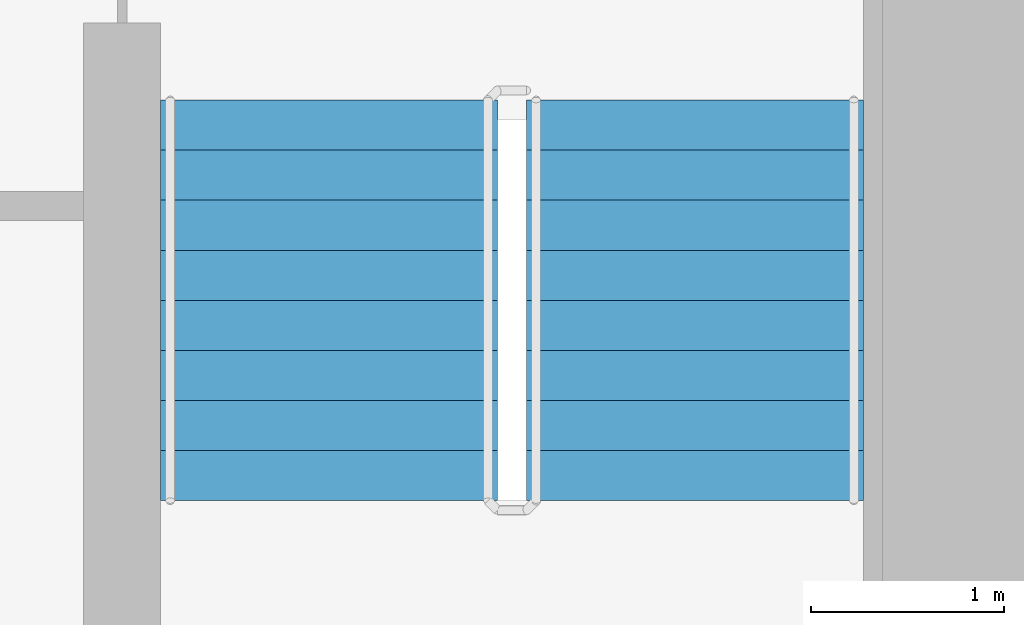
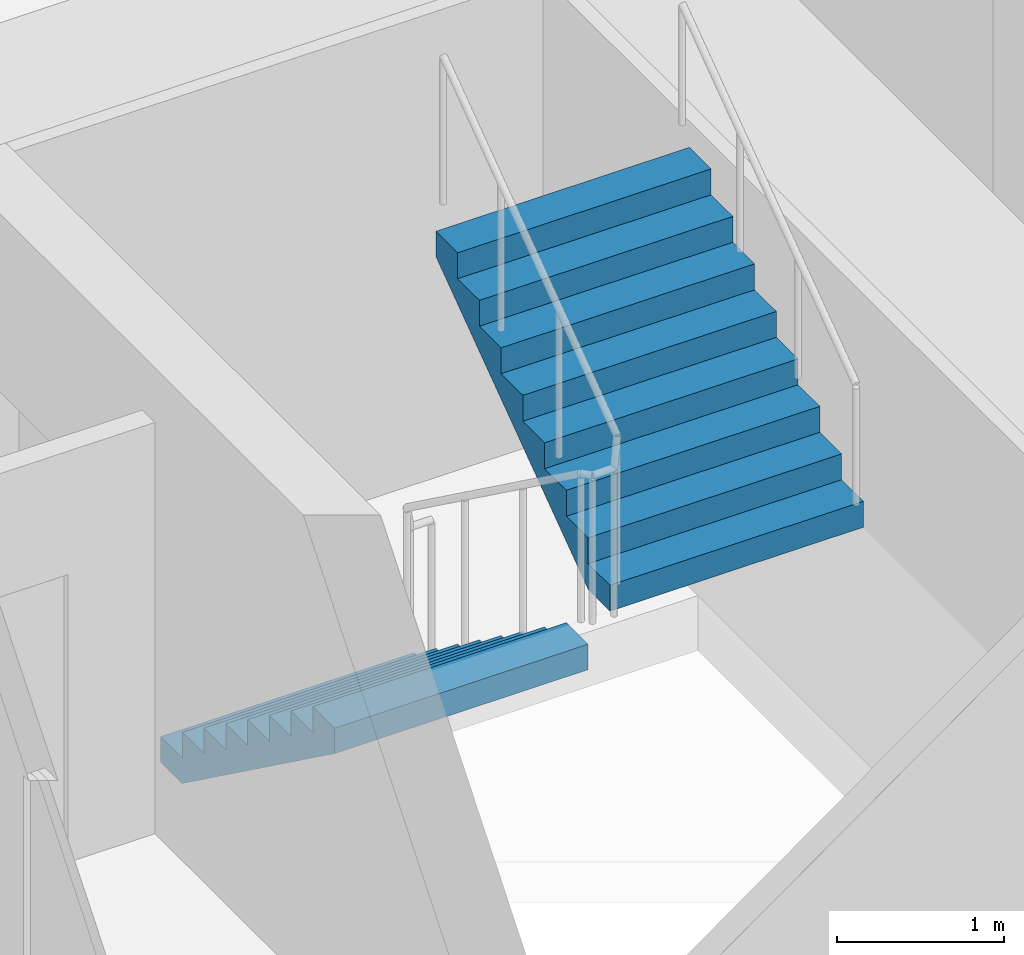
# One storey, part 20 of 24: 2 stair flights, 1 element without a shape of its own.
"""IFC4 building model written with IfcOpenShell, lengths in metres."""

from ifc_helpers import new_model, si_unit, direction, frame, origin, place, context, subcontext, project, spatial, faceted_brep, material, type_object, element, aggregate, save


model = new_model("IFC4")

# Units and contexts
model_context = context("Model", 3, precision=1e-05, world=origin(), true_north=direction((0.0, 1.0)))
body_context = subcontext(model_context, "Body", "Model", "MODEL_VIEW")
ifc_project = project(units=[si_unit("LENGTHUNIT", "METRE"), si_unit("AREAUNIT", "SQUARE_METRE"), si_unit("VOLUMEUNIT", "CUBIC_METRE"), si_unit("PLANEANGLEUNIT", "RADIAN"), si_unit("MASSUNIT", "GRAM", prefix="KILO")], contexts=[model_context])

# Site, building, storey
site_placement = place(None, origin())
site = spatial("IfcSite", under=ifc_project, at=site_placement, CompositionType="ELEMENT")
building_placement = place(site_placement, origin())
building = spatial("IfcBuilding", under=site, at=building_placement, Name="Ipe Terrace Towers", CompositionType="ELEMENT")
storey_placement = place(building_placement, frame((0.0, 0.0, 38.10009765625)))
storey = spatial("IfcBuildingStorey", under=building, at=storey_placement, Name="L09", CompositionType="ELEMENT", Elevation=38.10009765625)

# Stair, stair flights
ifc_material_1 = material(Name="Concrete C30/37", Category="concrete")
stair_type = type_object("IfcStairType", Name="Protected exit stair", PredefinedType="HALF_TURN_STAIR", material=ifc_material_1)
stair_placement = place(storey_placement, origin())
stair = element("IfcStair", 1, at=stair_placement, inside=storey, type_object=stair_type, Name="L09 Exit stair T2-C2", PredefinedType="HALF_TURN_STAIR")
ifc_material_2 = material(Name="Concrete C30/37", Category="concrete")
stair_flight_type = type_object("IfcStairFlightType", Name="Exit stair flight 1750", PredefinedType="STRAIGHT", material=ifc_material_2)
stair_flight_1_placement = place(storey_placement, frame((38.77490234375, -9.699951171875, 0.0), z_axis=(0.0, 0.0, 1.0), x_axis=(0.0, -1.0, 0.0)))
stair_flight_1 = element("IfcStairFlight", 2, at=stair_flight_1_placement, type_object=stair_flight_type, Name="T2-ST2 flight 1", NumberOfRisers=9, NumberOfTreads=8, PredefinedType="STRAIGHT", RiserHeight=0.188888889, TreadLength=0.26, context=body_context, shape_type="Brep", body=[
    faceted_brep([(0.255126953125, -0.875, 0.0), (2.080078125, -0.875, 1.325927734375), (2.080078125, -0.875, 1.51123046875), (1.820068359375, -0.875, 1.51123046875), (1.820068359375, -0.875, 1.322265625), (1.56005859375, -0.875, 1.322265625), (1.56005859375, -0.875, 1.13330078125), (1.300048828125, -0.875, 1.13330078125), (1.300048828125, -0.875, 0.9443359375), (1.0400390625, -0.875, 0.9443359375), (1.0400390625, -0.875, 0.755615234375), (0.780029296875, -0.875, 0.755615234375), (0.780029296875, -0.875, 0.566650390625), (0.52001953125, -0.875, 0.566650390625), (0.52001953125, -0.875, 0.377685546875), (0.260009765625, -0.875, 0.377685546875), (0.260009765625, -0.875, 0.18896484375), (0.0, -0.875, 0.18896484375), (0.0, -0.875, 0.0), (0.0, 0.875, 0.0), (0.0, 0.875, 0.18896484375), (0.260009765625, 0.875, 0.18896484375), (0.260009765625, 0.875, 0.377685546875), (0.52001953125, 0.875, 0.377685546875), (0.52001953125, 0.875, 0.566650390625), (0.780029296875, 0.875, 0.566650390625), (0.780029296875, 0.875, 0.755615234375), (1.0400390625, 0.875, 0.755615234375), (1.0400390625, 0.875, 0.9443359375), (1.300048828125, 0.875, 0.9443359375), (1.300048828125, 0.875, 1.13330078125), (1.56005859375, 0.875, 1.13330078125), (1.56005859375, 0.875, 1.322265625), (1.820068359375, 0.875, 1.322265625), (1.820068359375, 0.875, 1.51123046875), (2.080078125, 0.875, 1.51123046875), (2.080078125, 0.875, 1.325927734375), (0.255126953125, 0.875, 0.0), (0.0, -0.300048828125, 0.18896484375), (0.0, -0.1201171875, 0.18896484375), (0.0, -0.06005859375, 0.18896484375), (0.0, -0.030029296875, 0.18896484375), (0.0, -0.010009765625, 0.18896484375), (0.0, 0.0, 0.18896484375), (0.0, 0.010009765625, 0.18896484375), (0.0, 0.030029296875, 0.18896484375), (0.0, 0.06005859375, 0.18896484375), (0.0, 0.1201171875, 0.18896484375), (0.0, 0.300048828125, 0.18896484375), (0.0, 0.300048828125, 0.0), (0.0, 0.1201171875, 0.0), (0.0, 0.06005859375, 0.0), (0.0, 0.030029296875, 0.0), (0.0, 0.010009765625, 0.0), (0.0, 0.0, 0.0), (0.0, -0.010009765625, 0.0), (0.0, -0.030029296875, 0.0), (0.0, -0.06005859375, 0.0), (0.0, -0.1201171875, 0.0), (0.0, -0.300048828125, 0.0), (0.260009765625, -0.300048828125, 0.18896484375), (0.260009765625, -0.1201171875, 0.18896484375), (0.260009765625, -0.06005859375, 0.18896484375), (0.260009765625, -0.030029296875, 0.18896484375), (0.260009765625, -0.010009765625, 0.18896484375), (0.260009765625, 0.0, 0.18896484375), (0.260009765625, 0.010009765625, 0.18896484375), (0.260009765625, 0.030029296875, 0.18896484375), (0.260009765625, 0.06005859375, 0.18896484375), (0.260009765625, 0.1201171875, 0.18896484375), (0.260009765625, 0.300048828125, 0.18896484375), (0.260009765625, -0.300048828125, 0.377685546875), (0.260009765625, -0.1201171875, 0.377685546875), (0.260009765625, -0.06005859375, 0.377685546875), (0.260009765625, -0.030029296875, 0.377685546875), (0.260009765625, -0.010009765625, 0.377685546875), (0.260009765625, 0.0, 0.377685546875), (0.260009765625, 0.010009765625, 0.377685546875), (0.260009765625, 0.030029296875, 0.377685546875), (0.260009765625, 0.06005859375, 0.377685546875), (0.260009765625, 0.1201171875, 0.377685546875), (0.260009765625, 0.300048828125, 0.377685546875), (0.52001953125, -0.300048828125, 0.377685546875), (0.52001953125, -0.1201171875, 0.377685546875), (0.52001953125, -0.06005859375, 0.377685546875), (0.52001953125, -0.030029296875, 0.377685546875), (0.52001953125, -0.010009765625, 0.377685546875), (0.52001953125, 0.0, 0.377685546875), (0.52001953125, 0.010009765625, 0.377685546875), (0.52001953125, 0.030029296875, 0.377685546875), (0.52001953125, 0.06005859375, 0.377685546875), (0.52001953125, 0.1201171875, 0.377685546875), (0.52001953125, 0.300048828125, 0.377685546875), (0.52001953125, -0.300048828125, 0.566650390625), (0.52001953125, -0.1201171875, 0.566650390625), (0.52001953125, -0.06005859375, 0.566650390625), (0.52001953125, -0.030029296875, 0.566650390625), (0.52001953125, -0.010009765625, 0.566650390625), (0.52001953125, 0.0, 0.566650390625), (0.52001953125, 0.010009765625, 0.566650390625), (0.52001953125, 0.030029296875, 0.566650390625), (0.52001953125, 0.06005859375, 0.566650390625), (0.52001953125, 0.1201171875, 0.566650390625), (0.52001953125, 0.300048828125, 0.566650390625), (0.780029296875, -0.300048828125, 0.566650390625), (0.780029296875, -0.1201171875, 0.566650390625), (0.780029296875, -0.06005859375, 0.566650390625), (0.780029296875, -0.030029296875, 0.566650390625), (0.780029296875, -0.010009765625, 0.566650390625), (0.780029296875, 0.0, 0.566650390625), (0.780029296875, 0.010009765625, 0.566650390625), (0.780029296875, 0.030029296875, 0.566650390625), (0.780029296875, 0.06005859375, 0.566650390625), (0.780029296875, 0.1201171875, 0.566650390625), (0.780029296875, 0.300048828125, 0.566650390625), (0.780029296875, -0.300048828125, 0.755615234375), (0.780029296875, -0.1201171875, 0.755615234375), (0.780029296875, -0.06005859375, 0.755615234375), (0.780029296875, -0.030029296875, 0.755615234375), (0.780029296875, -0.010009765625, 0.755615234375), (0.780029296875, 0.0, 0.755615234375), (0.780029296875, 0.010009765625, 0.755615234375), (0.780029296875, 0.030029296875, 0.755615234375), (0.780029296875, 0.06005859375, 0.755615234375), (0.780029296875, 0.1201171875, 0.755615234375), (0.780029296875, 0.300048828125, 0.755615234375), (1.0400390625, -0.300048828125, 0.755615234375), (1.0400390625, -0.1201171875, 0.755615234375), (1.0400390625, -0.06005859375, 0.755615234375), (1.0400390625, -0.030029296875, 0.755615234375), (1.0400390625, -0.010009765625, 0.755615234375), (1.0400390625, 0.0, 0.755615234375), (1.0400390625, 0.010009765625, 0.755615234375), (1.0400390625, 0.030029296875, 0.755615234375), (1.0400390625, 0.06005859375, 0.755615234375), (1.0400390625, 0.1201171875, 0.755615234375), (1.0400390625, 0.300048828125, 0.755615234375), (1.0400390625, -0.300048828125, 0.9443359375), (1.0400390625, -0.1201171875, 0.9443359375), (1.0400390625, -0.06005859375, 0.9443359375), (1.0400390625, -0.030029296875, 0.9443359375), (1.0400390625, -0.010009765625, 0.9443359375), (1.0400390625, 0.0, 0.9443359375), (1.0400390625, 0.010009765625, 0.9443359375), (1.0400390625, 0.030029296875, 0.9443359375), (1.0400390625, 0.06005859375, 0.9443359375), (1.0400390625, 0.1201171875, 0.9443359375), (1.0400390625, 0.300048828125, 0.9443359375), (1.300048828125, -0.300048828125, 0.9443359375), (1.300048828125, -0.1201171875, 0.9443359375), (1.300048828125, -0.06005859375, 0.9443359375), (1.300048828125, -0.030029296875, 0.9443359375), (1.300048828125, -0.010009765625, 0.9443359375), (1.300048828125, 0.0, 0.9443359375), (1.300048828125, 0.010009765625, 0.9443359375), (1.300048828125, 0.030029296875, 0.9443359375), (1.300048828125, 0.06005859375, 0.9443359375), (1.300048828125, 0.1201171875, 0.9443359375), (1.300048828125, 0.300048828125, 0.9443359375), (1.300048828125, -0.300048828125, 1.13330078125), (1.300048828125, -0.1201171875, 1.13330078125), (1.300048828125, -0.06005859375, 1.13330078125), (1.300048828125, -0.030029296875, 1.13330078125), (1.300048828125, -0.010009765625, 1.13330078125), (1.300048828125, 0.0, 1.13330078125), (1.300048828125, 0.010009765625, 1.13330078125), (1.300048828125, 0.030029296875, 1.13330078125), (1.300048828125, 0.06005859375, 1.13330078125), (1.300048828125, 0.1201171875, 1.13330078125), (1.300048828125, 0.300048828125, 1.13330078125), (1.56005859375, -0.300048828125, 1.13330078125), (1.56005859375, -0.1201171875, 1.13330078125), (1.56005859375, -0.06005859375, 1.13330078125), (1.56005859375, -0.030029296875, 1.13330078125), (1.56005859375, -0.010009765625, 1.13330078125), (1.56005859375, 0.0, 1.13330078125), (1.56005859375, 0.010009765625, 1.13330078125), (1.56005859375, 0.030029296875, 1.13330078125), (1.56005859375, 0.06005859375, 1.13330078125), (1.56005859375, 0.1201171875, 1.13330078125), (1.56005859375, 0.300048828125, 1.13330078125), (1.56005859375, -0.300048828125, 1.322265625), (1.56005859375, -0.1201171875, 1.322265625), (1.56005859375, -0.06005859375, 1.322265625), (1.56005859375, -0.030029296875, 1.322265625), (1.56005859375, -0.010009765625, 1.322265625), (1.56005859375, 0.0, 1.322265625), (1.56005859375, 0.010009765625, 1.322265625), (1.56005859375, 0.030029296875, 1.322265625), (1.56005859375, 0.06005859375, 1.322265625), (1.56005859375, 0.1201171875, 1.322265625), (1.56005859375, 0.300048828125, 1.322265625), (1.820068359375, -0.300048828125, 1.322265625), (1.820068359375, -0.1201171875, 1.322265625), (1.820068359375, -0.06005859375, 1.322265625), (1.820068359375, -0.030029296875, 1.322265625), (1.820068359375, -0.010009765625, 1.322265625), (1.820068359375, 0.0, 1.322265625), (1.820068359375, 0.010009765625, 1.322265625), (1.820068359375, 0.030029296875, 1.322265625), (1.820068359375, 0.06005859375, 1.322265625), (1.820068359375, 0.1201171875, 1.322265625), (1.820068359375, 0.300048828125, 1.322265625), (1.820068359375, -0.300048828125, 1.51123046875), (1.820068359375, -0.1201171875, 1.51123046875), (1.820068359375, -0.06005859375, 1.51123046875), (1.820068359375, -0.030029296875, 1.51123046875), (1.820068359375, -0.010009765625, 1.51123046875), (1.820068359375, 0.0, 1.51123046875), (1.820068359375, 0.010009765625, 1.51123046875), (1.820068359375, 0.030029296875, 1.51123046875), (1.820068359375, 0.06005859375, 1.51123046875), (1.820068359375, 0.1201171875, 1.51123046875), (1.820068359375, 0.300048828125, 1.51123046875), (2.080078125, -0.300048828125, 1.51123046875), (2.080078125, -0.1201171875, 1.51123046875), (2.080078125, -0.06005859375, 1.51123046875), (2.080078125, -0.030029296875, 1.51123046875), (2.080078125, -0.010009765625, 1.51123046875), (2.080078125, 0.0, 1.51123046875), (2.080078125, 0.010009765625, 1.51123046875), (2.080078125, 0.030029296875, 1.51123046875), (2.080078125, 0.06005859375, 1.51123046875), (2.080078125, 0.1201171875, 1.51123046875), (2.080078125, 0.300048828125, 1.51123046875), (2.080078125, -0.300048828125, 1.325927734375), (2.080078125, -0.1201171875, 1.325927734375), (2.080078125, -0.06005859375, 1.325927734375), (2.080078125, -0.030029296875, 1.325927734375), (2.080078125, -0.010009765625, 1.325927734375), (2.080078125, 0.0, 1.325927734375), (2.080078125, 0.010009765625, 1.325927734375), (2.080078125, 0.030029296875, 1.325927734375), (2.080078125, 0.06005859375, 1.325927734375), (2.080078125, 0.1201171875, 1.325927734375), (2.080078125, 0.300048828125, 1.325927734375), (0.255126953125, -0.300048828125, 0.0), (0.255126953125, -0.1201171875, 0.0), (0.255126953125, -0.06005859375, 0.0), (0.255126953125, -0.030029296875, 0.0), (0.255126953125, -0.010009765625, 0.0), (0.255126953125, 0.0, 0.0), (0.255126953125, 0.010009765625, 0.0), (0.255126953125, 0.030029296875, 0.0), (0.255126953125, 0.06005859375, 0.0), (0.255126953125, 0.1201171875, 0.0), (0.255126953125, 0.300048828125, 0.0)], [[[0, 1, 2, 3, 4, 5, 6, 7, 8, 9, 10, 11, 12, 13, 14, 15, 16, 17, 18]], [[19, 20, 21, 22, 23, 24, 25, 26, 27, 28, 29, 30, 31, 32, 33, 34, 35, 36, 37]], [[17, 38, 39, 40, 41, 42, 43, 44, 45, 46, 47, 48, 20, 19, 49, 50, 51, 52, 53, 54, 55, 56, 57, 58, 59, 18]], [[16, 60, 61, 62, 63, 64, 65, 66, 67, 68, 69, 70, 21, 20, 48, 47, 46, 45, 44, 43, 42, 41, 40, 39, 38, 17]], [[15, 71, 72, 73, 74, 75, 76, 77, 78, 79, 80, 81, 22, 21, 70, 69, 68, 67, 66, 65, 64, 63, 62, 61, 60, 16]], [[14, 82, 83, 84, 85, 86, 87, 88, 89, 90, 91, 92, 23, 22, 81, 80, 79, 78, 77, 76, 75, 74, 73, 72, 71, 15]], [[13, 93, 94, 95, 96, 97, 98, 99, 100, 101, 102, 103, 24, 23, 92, 91, 90, 89, 88, 87, 86, 85, 84, 83, 82, 14]], [[12, 104, 105, 106, 107, 108, 109, 110, 111, 112, 113, 114, 25, 24, 103, 102, 101, 100, 99, 98, 97, 96, 95, 94, 93, 13]], [[11, 115, 116, 117, 118, 119, 120, 121, 122, 123, 124, 125, 26, 25, 114, 113, 112, 111, 110, 109, 108, 107, 106, 105, 104, 12]], [[10, 126, 127, 128, 129, 130, 131, 132, 133, 134, 135, 136, 27, 26, 125, 124, 123, 122, 121, 120, 119, 118, 117, 116, 115, 11]], [[9, 137, 138, 139, 140, 141, 142, 143, 144, 145, 146, 147, 28, 27, 136, 135, 134, 133, 132, 131, 130, 129, 128, 127, 126, 10]], [[8, 148, 149, 150, 151, 152, 153, 154, 155, 156, 157, 158, 29, 28, 147, 146, 145, 144, 143, 142, 141, 140, 139, 138, 137, 9]], [[7, 159, 160, 161, 162, 163, 164, 165, 166, 167, 168, 169, 30, 29, 158, 157, 156, 155, 154, 153, 152, 151, 150, 149, 148, 8]], [[6, 170, 171, 172, 173, 174, 175, 176, 177, 178, 179, 180, 31, 30, 169, 168, 167, 166, 165, 164, 163, 162, 161, 160, 159, 7]], [[5, 181, 182, 183, 184, 185, 186, 187, 188, 189, 190, 191, 32, 31, 180, 179, 178, 177, 176, 175, 174, 173, 172, 171, 170, 6]], [[4, 192, 193, 194, 195, 196, 197, 198, 199, 200, 201, 202, 33, 32, 191, 190, 189, 188, 187, 186, 185, 184, 183, 182, 181, 5]], [[3, 203, 204, 205, 206, 207, 208, 209, 210, 211, 212, 213, 34, 33, 202, 201, 200, 199, 198, 197, 196, 195, 194, 193, 192, 4]], [[2, 214, 215, 216, 217, 218, 219, 220, 221, 222, 223, 224, 35, 34, 213, 212, 211, 210, 209, 208, 207, 206, 205, 204, 203, 3]], [[1, 225, 226, 227, 228, 229, 230, 231, 232, 233, 234, 235, 36, 35, 224, 223, 222, 221, 220, 219, 218, 217, 216, 215, 214, 2]], [[0, 236, 237, 238, 239, 240, 241, 242, 243, 244, 245, 246, 37, 36, 235, 234, 233, 232, 231, 230, 229, 228, 227, 226, 225, 1]], [[18, 59, 58, 57, 56, 55, 54, 53, 52, 51, 50, 49, 19, 37, 246, 245, 244, 243, 242, 241, 240, 239, 238, 237, 236, 0]]]),
])
stair_flight_2_placement = place(storey_placement, frame((40.675048828125, -11.780029296875, 1.699951171875), z_axis=(0.0, 0.0, 1.0), x_axis=(0.0, 1.0, 0.0)))
stair_flight_2 = element("IfcStairFlight", 3, at=stair_flight_2_placement, type_object=stair_flight_type, Name="T2-ST2 flight 2", NumberOfRisers=9, NumberOfTreads=8, PredefinedType="STRAIGHT", RiserHeight=0.188888889, TreadLength=0.26, context=body_context, shape_type="Brep", body=[
    faceted_brep([(0.255126953125, -0.875, 0.0), (2.080078125, -0.875, 1.325927734375), (2.080078125, -0.875, 1.51123046875), (1.820068359375, -0.875, 1.51123046875), (1.820068359375, -0.875, 1.322265625), (1.56005859375, -0.875, 1.322265625), (1.56005859375, -0.875, 1.13330078125), (1.300048828125, -0.875, 1.13330078125), (1.300048828125, -0.875, 0.9443359375), (1.0400390625, -0.875, 0.9443359375), (1.0400390625, -0.875, 0.755615234375), (0.780029296875, -0.875, 0.755615234375), (0.780029296875, -0.875, 0.566650390625), (0.52001953125, -0.875, 0.566650390625), (0.52001953125, -0.875, 0.377685546875), (0.260009765625, -0.875, 0.377685546875), (0.260009765625, -0.875, 0.18896484375), (0.0, -0.875, 0.18896484375), (0.0, -0.875, 0.0), (0.0, 0.875, 0.0), (0.0, 0.875, 0.18896484375), (0.260009765625, 0.875, 0.18896484375), (0.260009765625, 0.875, 0.377685546875), (0.52001953125, 0.875, 0.377685546875), (0.52001953125, 0.875, 0.566650390625), (0.780029296875, 0.875, 0.566650390625), (0.780029296875, 0.875, 0.755615234375), (1.0400390625, 0.875, 0.755615234375), (1.0400390625, 0.875, 0.9443359375), (1.300048828125, 0.875, 0.9443359375), (1.300048828125, 0.875, 1.13330078125), (1.56005859375, 0.875, 1.13330078125), (1.56005859375, 0.875, 1.322265625), (1.820068359375, 0.875, 1.322265625), (1.820068359375, 0.875, 1.51123046875), (2.080078125, 0.875, 1.51123046875), (2.080078125, 0.875, 1.325927734375), (0.255126953125, 0.875, 0.0), (0.0, -0.300048828125, 0.18896484375), (0.0, -0.1201171875, 0.18896484375), (0.0, -0.06005859375, 0.18896484375), (0.0, -0.030029296875, 0.18896484375), (0.0, -0.010009765625, 0.18896484375), (0.0, 0.0, 0.18896484375), (0.0, 0.010009765625, 0.18896484375), (0.0, 0.030029296875, 0.18896484375), (0.0, 0.06005859375, 0.18896484375), (0.0, 0.1201171875, 0.18896484375), (0.0, 0.300048828125, 0.18896484375), (0.0, 0.300048828125, 0.0), (0.0, 0.1201171875, 0.0), (0.0, 0.06005859375, 0.0), (0.0, 0.030029296875, 0.0), (0.0, 0.010009765625, 0.0), (0.0, 0.0, 0.0), (0.0, -0.010009765625, 0.0), (0.0, -0.030029296875, 0.0), (0.0, -0.06005859375, 0.0), (0.0, -0.1201171875, 0.0), (0.0, -0.300048828125, 0.0), (0.260009765625, -0.300048828125, 0.18896484375), (0.260009765625, -0.1201171875, 0.18896484375), (0.260009765625, -0.06005859375, 0.18896484375), (0.260009765625, -0.030029296875, 0.18896484375), (0.260009765625, -0.010009765625, 0.18896484375), (0.260009765625, 0.0, 0.18896484375), (0.260009765625, 0.010009765625, 0.18896484375), (0.260009765625, 0.030029296875, 0.18896484375), (0.260009765625, 0.06005859375, 0.18896484375), (0.260009765625, 0.1201171875, 0.18896484375), (0.260009765625, 0.300048828125, 0.18896484375), (0.260009765625, -0.300048828125, 0.377685546875), (0.260009765625, -0.1201171875, 0.377685546875), (0.260009765625, -0.06005859375, 0.377685546875), (0.260009765625, -0.030029296875, 0.377685546875), (0.260009765625, -0.010009765625, 0.377685546875), (0.260009765625, 0.0, 0.377685546875), (0.260009765625, 0.010009765625, 0.377685546875), (0.260009765625, 0.030029296875, 0.377685546875), (0.260009765625, 0.06005859375, 0.377685546875), (0.260009765625, 0.1201171875, 0.377685546875), (0.260009765625, 0.300048828125, 0.377685546875), (0.52001953125, -0.300048828125, 0.377685546875), (0.52001953125, -0.1201171875, 0.377685546875), (0.52001953125, -0.06005859375, 0.377685546875), (0.52001953125, -0.030029296875, 0.377685546875), (0.52001953125, -0.010009765625, 0.377685546875), (0.52001953125, 0.0, 0.377685546875), (0.52001953125, 0.010009765625, 0.377685546875), (0.52001953125, 0.030029296875, 0.377685546875), (0.52001953125, 0.06005859375, 0.377685546875), (0.52001953125, 0.1201171875, 0.377685546875), (0.52001953125, 0.300048828125, 0.377685546875), (0.52001953125, -0.300048828125, 0.566650390625), (0.52001953125, -0.1201171875, 0.566650390625), (0.52001953125, -0.06005859375, 0.566650390625), (0.52001953125, -0.030029296875, 0.566650390625), (0.52001953125, -0.010009765625, 0.566650390625), (0.52001953125, 0.0, 0.566650390625), (0.52001953125, 0.010009765625, 0.566650390625), (0.52001953125, 0.030029296875, 0.566650390625), (0.52001953125, 0.06005859375, 0.566650390625), (0.52001953125, 0.1201171875, 0.566650390625), (0.52001953125, 0.300048828125, 0.566650390625), (0.780029296875, -0.300048828125, 0.566650390625), (0.780029296875, -0.1201171875, 0.566650390625), (0.780029296875, -0.06005859375, 0.566650390625), (0.780029296875, -0.030029296875, 0.566650390625), (0.780029296875, -0.010009765625, 0.566650390625), (0.780029296875, 0.0, 0.566650390625), (0.780029296875, 0.010009765625, 0.566650390625), (0.780029296875, 0.030029296875, 0.566650390625), (0.780029296875, 0.06005859375, 0.566650390625), (0.780029296875, 0.1201171875, 0.566650390625), (0.780029296875, 0.300048828125, 0.566650390625), (0.780029296875, -0.300048828125, 0.755615234375), (0.780029296875, -0.1201171875, 0.755615234375), (0.780029296875, -0.06005859375, 0.755615234375), (0.780029296875, -0.030029296875, 0.755615234375), (0.780029296875, -0.010009765625, 0.755615234375), (0.780029296875, 0.0, 0.755615234375), (0.780029296875, 0.010009765625, 0.755615234375), (0.780029296875, 0.030029296875, 0.755615234375), (0.780029296875, 0.06005859375, 0.755615234375), (0.780029296875, 0.1201171875, 0.755615234375), (0.780029296875, 0.300048828125, 0.755615234375), (1.0400390625, -0.300048828125, 0.755615234375), (1.0400390625, -0.1201171875, 0.755615234375), (1.0400390625, -0.06005859375, 0.755615234375), (1.0400390625, -0.030029296875, 0.755615234375), (1.0400390625, -0.010009765625, 0.755615234375), (1.0400390625, 0.0, 0.755615234375), (1.0400390625, 0.010009765625, 0.755615234375), (1.0400390625, 0.030029296875, 0.755615234375), (1.0400390625, 0.06005859375, 0.755615234375), (1.0400390625, 0.1201171875, 0.755615234375), (1.0400390625, 0.300048828125, 0.755615234375), (1.0400390625, -0.300048828125, 0.9443359375), (1.0400390625, -0.1201171875, 0.9443359375), (1.0400390625, -0.06005859375, 0.9443359375), (1.0400390625, -0.030029296875, 0.9443359375), (1.0400390625, -0.010009765625, 0.9443359375), (1.0400390625, 0.0, 0.9443359375), (1.0400390625, 0.010009765625, 0.9443359375), (1.0400390625, 0.030029296875, 0.9443359375), (1.0400390625, 0.06005859375, 0.9443359375), (1.0400390625, 0.1201171875, 0.9443359375), (1.0400390625, 0.300048828125, 0.9443359375), (1.300048828125, -0.300048828125, 0.9443359375), (1.300048828125, -0.1201171875, 0.9443359375), (1.300048828125, -0.06005859375, 0.9443359375), (1.300048828125, -0.030029296875, 0.9443359375), (1.300048828125, -0.010009765625, 0.9443359375), (1.300048828125, 0.0, 0.9443359375), (1.300048828125, 0.010009765625, 0.9443359375), (1.300048828125, 0.030029296875, 0.9443359375), (1.300048828125, 0.06005859375, 0.9443359375), (1.300048828125, 0.1201171875, 0.9443359375), (1.300048828125, 0.300048828125, 0.9443359375), (1.300048828125, -0.300048828125, 1.13330078125), (1.300048828125, -0.1201171875, 1.13330078125), (1.300048828125, -0.06005859375, 1.13330078125), (1.300048828125, -0.030029296875, 1.13330078125), (1.300048828125, -0.010009765625, 1.13330078125), (1.300048828125, 0.0, 1.13330078125), (1.300048828125, 0.010009765625, 1.13330078125), (1.300048828125, 0.030029296875, 1.13330078125), (1.300048828125, 0.06005859375, 1.13330078125), (1.300048828125, 0.1201171875, 1.13330078125), (1.300048828125, 0.300048828125, 1.13330078125), (1.56005859375, -0.300048828125, 1.13330078125), (1.56005859375, -0.1201171875, 1.13330078125), (1.56005859375, -0.06005859375, 1.13330078125), (1.56005859375, -0.030029296875, 1.13330078125), (1.56005859375, -0.010009765625, 1.13330078125), (1.56005859375, 0.0, 1.13330078125), (1.56005859375, 0.010009765625, 1.13330078125), (1.56005859375, 0.030029296875, 1.13330078125), (1.56005859375, 0.06005859375, 1.13330078125), (1.56005859375, 0.1201171875, 1.13330078125), (1.56005859375, 0.300048828125, 1.13330078125), (1.56005859375, -0.300048828125, 1.322265625), (1.56005859375, -0.1201171875, 1.322265625), (1.56005859375, -0.06005859375, 1.322265625), (1.56005859375, -0.030029296875, 1.322265625), (1.56005859375, -0.010009765625, 1.322265625), (1.56005859375, 0.0, 1.322265625), (1.56005859375, 0.010009765625, 1.322265625), (1.56005859375, 0.030029296875, 1.322265625), (1.56005859375, 0.06005859375, 1.322265625), (1.56005859375, 0.1201171875, 1.322265625), (1.56005859375, 0.300048828125, 1.322265625), (1.820068359375, -0.300048828125, 1.322265625), (1.820068359375, -0.1201171875, 1.322265625), (1.820068359375, -0.06005859375, 1.322265625), (1.820068359375, -0.030029296875, 1.322265625), (1.820068359375, -0.010009765625, 1.322265625), (1.820068359375, 0.0, 1.322265625), (1.820068359375, 0.010009765625, 1.322265625), (1.820068359375, 0.030029296875, 1.322265625), (1.820068359375, 0.06005859375, 1.322265625), (1.820068359375, 0.1201171875, 1.322265625), (1.820068359375, 0.300048828125, 1.322265625), (1.820068359375, -0.300048828125, 1.51123046875), (1.820068359375, -0.1201171875, 1.51123046875), (1.820068359375, -0.06005859375, 1.51123046875), (1.820068359375, -0.030029296875, 1.51123046875), (1.820068359375, -0.010009765625, 1.51123046875), (1.820068359375, 0.0, 1.51123046875), (1.820068359375, 0.010009765625, 1.51123046875), (1.820068359375, 0.030029296875, 1.51123046875), (1.820068359375, 0.06005859375, 1.51123046875), (1.820068359375, 0.1201171875, 1.51123046875), (1.820068359375, 0.300048828125, 1.51123046875), (2.080078125, -0.300048828125, 1.51123046875), (2.080078125, -0.1201171875, 1.51123046875), (2.080078125, -0.06005859375, 1.51123046875), (2.080078125, -0.030029296875, 1.51123046875), (2.080078125, -0.010009765625, 1.51123046875), (2.080078125, 0.0, 1.51123046875), (2.080078125, 0.010009765625, 1.51123046875), (2.080078125, 0.030029296875, 1.51123046875), (2.080078125, 0.06005859375, 1.51123046875), (2.080078125, 0.1201171875, 1.51123046875), (2.080078125, 0.300048828125, 1.51123046875), (2.080078125, -0.300048828125, 1.325927734375), (2.080078125, -0.1201171875, 1.325927734375), (2.080078125, -0.06005859375, 1.325927734375), (2.080078125, -0.030029296875, 1.325927734375), (2.080078125, -0.010009765625, 1.325927734375), (2.080078125, 0.0, 1.325927734375), (2.080078125, 0.010009765625, 1.325927734375), (2.080078125, 0.030029296875, 1.325927734375), (2.080078125, 0.06005859375, 1.325927734375), (2.080078125, 0.1201171875, 1.325927734375), (2.080078125, 0.300048828125, 1.325927734375), (0.255126953125, -0.300048828125, 0.0), (0.255126953125, -0.1201171875, 0.0), (0.255126953125, -0.06005859375, 0.0), (0.255126953125, -0.030029296875, 0.0), (0.255126953125, -0.010009765625, 0.0), (0.255126953125, 0.0, 0.0), (0.255126953125, 0.010009765625, 0.0), (0.255126953125, 0.030029296875, 0.0), (0.255126953125, 0.06005859375, 0.0), (0.255126953125, 0.1201171875, 0.0), (0.255126953125, 0.300048828125, 0.0)], [[[0, 1, 2, 3, 4, 5, 6, 7, 8, 9, 10, 11, 12, 13, 14, 15, 16, 17, 18]], [[19, 20, 21, 22, 23, 24, 25, 26, 27, 28, 29, 30, 31, 32, 33, 34, 35, 36, 37]], [[17, 38, 39, 40, 41, 42, 43, 44, 45, 46, 47, 48, 20, 19, 49, 50, 51, 52, 53, 54, 55, 56, 57, 58, 59, 18]], [[16, 60, 61, 62, 63, 64, 65, 66, 67, 68, 69, 70, 21, 20, 48, 47, 46, 45, 44, 43, 42, 41, 40, 39, 38, 17]], [[15, 71, 72, 73, 74, 75, 76, 77, 78, 79, 80, 81, 22, 21, 70, 69, 68, 67, 66, 65, 64, 63, 62, 61, 60, 16]], [[14, 82, 83, 84, 85, 86, 87, 88, 89, 90, 91, 92, 23, 22, 81, 80, 79, 78, 77, 76, 75, 74, 73, 72, 71, 15]], [[13, 93, 94, 95, 96, 97, 98, 99, 100, 101, 102, 103, 24, 23, 92, 91, 90, 89, 88, 87, 86, 85, 84, 83, 82, 14]], [[12, 104, 105, 106, 107, 108, 109, 110, 111, 112, 113, 114, 25, 24, 103, 102, 101, 100, 99, 98, 97, 96, 95, 94, 93, 13]], [[11, 115, 116, 117, 118, 119, 120, 121, 122, 123, 124, 125, 26, 25, 114, 113, 112, 111, 110, 109, 108, 107, 106, 105, 104, 12]], [[10, 126, 127, 128, 129, 130, 131, 132, 133, 134, 135, 136, 27, 26, 125, 124, 123, 122, 121, 120, 119, 118, 117, 116, 115, 11]], [[9, 137, 138, 139, 140, 141, 142, 143, 144, 145, 146, 147, 28, 27, 136, 135, 134, 133, 132, 131, 130, 129, 128, 127, 126, 10]], [[8, 148, 149, 150, 151, 152, 153, 154, 155, 156, 157, 158, 29, 28, 147, 146, 145, 144, 143, 142, 141, 140, 139, 138, 137, 9]], [[7, 159, 160, 161, 162, 163, 164, 165, 166, 167, 168, 169, 30, 29, 158, 157, 156, 155, 154, 153, 152, 151, 150, 149, 148, 8]], [[6, 170, 171, 172, 173, 174, 175, 176, 177, 178, 179, 180, 31, 30, 169, 168, 167, 166, 165, 164, 163, 162, 161, 160, 159, 7]], [[5, 181, 182, 183, 184, 185, 186, 187, 188, 189, 190, 191, 32, 31, 180, 179, 178, 177, 176, 175, 174, 173, 172, 171, 170, 6]], [[4, 192, 193, 194, 195, 196, 197, 198, 199, 200, 201, 202, 33, 32, 191, 190, 189, 188, 187, 186, 185, 184, 183, 182, 181, 5]], [[3, 203, 204, 205, 206, 207, 208, 209, 210, 211, 212, 213, 34, 33, 202, 201, 200, 199, 198, 197, 196, 195, 194, 193, 192, 4]], [[2, 214, 215, 216, 217, 218, 219, 220, 221, 222, 223, 224, 35, 34, 213, 212, 211, 210, 209, 208, 207, 206, 205, 204, 203, 3]], [[1, 225, 226, 227, 228, 229, 230, 231, 232, 233, 234, 235, 36, 35, 224, 223, 222, 221, 220, 219, 218, 217, 216, 215, 214, 2]], [[0, 236, 237, 238, 239, 240, 241, 242, 243, 244, 245, 246, 37, 36, 235, 234, 233, 232, 231, 230, 229, 228, 227, 226, 225, 1]], [[18, 59, 58, 57, 56, 55, 54, 53, 52, 51, 50, 49, 19, 37, 246, 245, 244, 243, 242, 241, 240, 239, 238, 237, 236, 0]]]),
])
aggregate(stair, [stair_flight_1, stair_flight_2])

save(model, "model.ifc")
